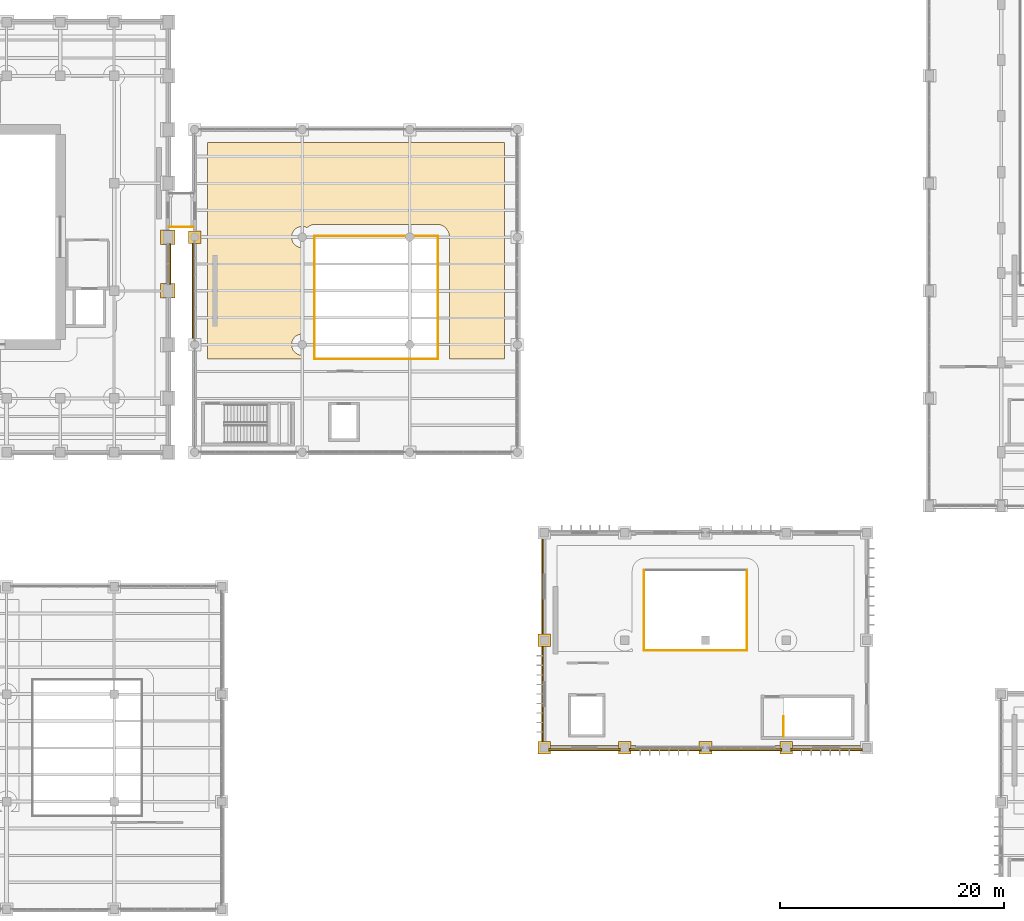
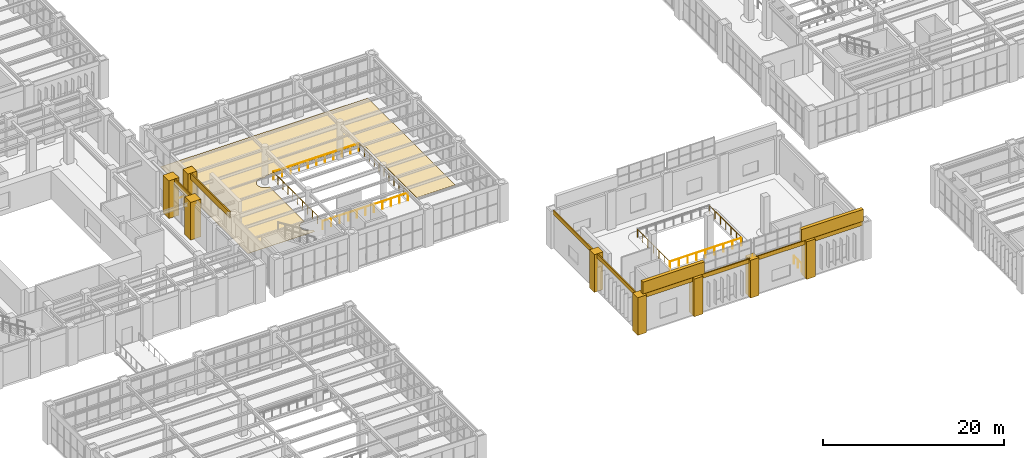
# One storey, part 158 of 174: 19 coverings, 9 railings.
"""IFC4 building model written with IfcOpenShell, lengths in metres."""

from ifc_helpers import new_model, si_unit, direction, frame, origin, origin_2d, place, context, subcontext, project, spatial, polyline, circle, outline, extrude, material, layer, layer_set, type_object, element, save


model = new_model("IFC4")

# Units and contexts
model_context = context("Model", 3, precision=1e-05, world=origin(), true_north=direction((0.0, 1.0)))
body_context = subcontext(model_context, "Body", "Model", "MODEL_VIEW")
ifc_project = project(units=[si_unit("LENGTHUNIT", "METRE"), si_unit("AREAUNIT", "SQUARE_METRE"), si_unit("VOLUMEUNIT", "CUBIC_METRE"), si_unit("PLANEANGLEUNIT", "RADIAN"), si_unit("MASSUNIT", "GRAM", prefix="KILO")], contexts=[model_context])

# Site, building, storey
site_placement = place(None, origin())
site = spatial("IfcSite", under=ifc_project, at=site_placement, CompositionType="ELEMENT")
building_placement = place(site_placement, origin())
building = spatial("IfcBuilding", under=site, at=building_placement, Name="Mavantir Sound Aquarium", CompositionType="ELEMENT")
storey_placement = place(building_placement, frame((0.0, 0.0, 5.39990234375)))
storey = spatial("IfcBuildingStorey", under=building, at=storey_placement, Name="L01", CompositionType="ELEMENT", Elevation=5.39990234375)

# Coverings
ifc_material_1 = material(Name="Honed Coral-Limestone & Glazed Terracotta Rainscreen Cladding", Category="masonry")
ifc_layer_1 = layer(ifc_material_1, 0.06005859375, Name="Honed Coral-Limestone & Glazed Terracotta Rainscreen Cladding")
ifc_layer_set_1 = layer_set([ifc_layer_1], Name="Honed Coral-Limestone & Glazed Terracotta Rainscreen Cladding")
covering_type_1 = type_object("IfcCoveringType", Name="COV-CLAD-TC", PredefinedType="CLADDING", material=ifc_layer_set_1)
covering_1_placement = place(storey_placement, frame((0.0, 0.0, 4.30810546875)))
element("IfcCovering", 1, at=covering_1_placement, inside=storey, type_object=covering_type_1, Name="L01 Postmodern coral-limestone spandrel frieze 158", PredefinedType="CLADDING", context=body_context, shape_type="SweptSolid", body=[
    extrude(outline(polyline([(33.68994140625, 55.80810546875), (33.68994140625, 59.39208984375), (33.840087890625, 59.39208984375), (33.840087890625, 55.80810546875), (33.68994140625, 55.80810546875)])), origin(), (0.0, 0.0, 1.0), 0.7919921875),
])
covering_2_placement = place(storey_placement, frame((0.0, 0.0, 4.299072265625)))
element("IfcCovering", 2, at=covering_2_placement, inside=storey, type_object=covering_type_1, Name="L01 Postmodern coral-limestone spandrel frieze 189", PredefinedType="CLADDING", context=body_context, shape_type="SweptSolid", body=[
    extrude(outline(polyline([(35.909912109375, 59.616943359375), (35.909912109375, 50.782958984375), (35.760009765625, 50.782958984375), (35.760009765625, 59.616943359375), (35.909912109375, 59.616943359375)])), origin(), (0.0, 0.0, 1.0), 0.801025390625),
])
covering_3_placement = place(storey_placement, frame((0.0, 0.0, 4.5556640625)))
element("IfcCovering", 3, at=covering_3_placement, inside=storey, type_object=covering_type_1, Name="L01 Postmodern coral-limestone spandrel frieze 279", PredefinedType="CLADDING", context=body_context, shape_type="SweptSolid", body=[
    extrude(outline(polyline([(67.110107421875, 33.217041015625), (67.110107421875, 24.383056640625), (66.9599609375, 24.383056640625), (66.9599609375, 33.217041015625), (67.110107421875, 33.217041015625)])), origin(), (0.0, 0.0, 1.0), 0.54443359375),
])
covering_4_placement = place(storey_placement, frame((0.0, 0.0, 4.5556640625)))
element("IfcCovering", 4, at=covering_4_placement, inside=storey, type_object=covering_type_1, Name="L01 Postmodern coral-limestone spandrel frieze 280", PredefinedType="CLADDING", context=body_context, shape_type="SweptSolid", body=[
    extrude(outline(polyline([(67.110107421875, 23.616943359375), (67.110107421875, 14.782958984375), (66.9599609375, 14.782958984375), (66.9599609375, 23.616943359375), (67.110107421875, 23.616943359375)])), origin(), (0.0, 0.0, 1.0), 0.54443359375),
])
covering_5_placement = place(storey_placement, frame((0.0, 0.0, 4.5556640625)))
element("IfcCovering", 5, at=covering_5_placement, inside=storey, type_object=covering_type_1, Name="L01 Postmodern coral-limestone spandrel frieze 281", PredefinedType="CLADDING", context=body_context, shape_type="SweptSolid", body=[
    extrude(outline(polyline([(67.5830078125, 14.31005859375), (74.01708984375, 14.31005859375), (74.01708984375, 14.159912109375), (67.5830078125, 14.159912109375), (67.5830078125, 14.31005859375)])), origin(), (0.0, 0.0, 1.0), 0.54443359375),
])
covering_6_placement = place(storey_placement, frame((0.0, 0.0, 4.5556640625)))
element("IfcCovering", 6, at=covering_6_placement, inside=storey, type_object=covering_type_1, Name="L01 Postmodern coral-limestone spandrel frieze 282", PredefinedType="CLADDING", context=body_context, shape_type="SweptSolid", body=[
    extrude(outline(polyline([(74.782958984375, 14.31005859375), (81.217041015625, 14.31005859375), (81.217041015625, 14.159912109375), (74.782958984375, 14.159912109375), (74.782958984375, 14.31005859375)])), origin(), (0.0, 0.0, 1.0), 0.54443359375),
])
covering_7_placement = place(storey_placement, frame((0.0, 0.0, 4.5556640625)))
element("IfcCovering", 7, at=covering_7_placement, inside=storey, type_object=covering_type_1, Name="L01 Postmodern coral-limestone spandrel frieze 283", PredefinedType="CLADDING", context=body_context, shape_type="SweptSolid", body=[
    extrude(outline(polyline([(81.98291015625, 14.31005859375), (88.4169921875, 14.31005859375), (88.4169921875, 14.159912109375), (81.98291015625, 14.159912109375), (81.98291015625, 14.31005859375)])), origin(), (0.0, 0.0, 1.0), 0.54443359375),
])
covering_8_placement = place(storey_placement, frame((0.0, 0.0, 4.5556640625)))
element("IfcCovering", 8, at=covering_8_placement, inside=storey, type_object=covering_type_1, Name="L01 Postmodern coral-limestone spandrel frieze 284", PredefinedType="CLADDING", context=body_context, shape_type="SweptSolid", body=[
    extrude(outline(polyline([(89.18310546875, 14.31005859375), (95.616943359375, 14.31005859375), (95.616943359375, 14.159912109375), (89.18310546875, 14.159912109375), (89.18310546875, 14.31005859375)])), origin(), (0.0, 0.0, 1.0), 0.54443359375),
])
covering_9_placement = place(storey_placement, origin())
element("IfcCovering", 9, at=covering_9_placement, inside=storey, type_object=covering_type_1, Name="L01 Postmodern coral-limestone pilaster casing 98", PredefinedType="CLADDING", context=body_context, shape_type="SweptSolid", body=[
    extrude(outline(polyline([(32.949951171875, 54.550048828125), (34.25, 54.550048828125), (34.25, 55.85009765625), (32.949951171875, 55.85009765625), (32.949951171875, 54.550048828125)])), origin(), (0.0, 0.0, 1.0), 5.10009765625),
])
covering_10_placement = place(storey_placement, origin())
element("IfcCovering", 10, at=covering_10_placement, inside=storey, type_object=covering_type_1, Name="L01 Postmodern coral-limestone pilaster casing 102", PredefinedType="CLADDING", context=body_context, shape_type="SweptSolid", body=[
    extrude(outline(polyline([(32.949951171875, 59.35009765625), (34.25, 59.35009765625), (34.25, 60.64990234375), (32.949951171875, 60.64990234375), (32.949951171875, 59.35009765625)])), origin(), (0.0, 0.0, 1.0), 5.10009765625),
])
covering_11_placement = place(storey_placement, origin())
element("IfcCovering", 11, at=covering_11_placement, inside=storey, type_object=covering_type_1, Name="L01 Postmodern coral-limestone pilaster casing 130", PredefinedType="CLADDING", context=body_context, shape_type="SweptSolid", body=[
    extrude(outline(polyline([(35.43994140625, 59.43994140625), (36.56005859375, 59.43994140625), (36.56005859375, 60.56005859375), (35.43994140625, 60.56005859375), (35.43994140625, 59.43994140625)])), origin(), (0.0, 0.0, 1.0), 5.10009765625),
])
covering_12_placement = place(storey_placement, origin())
element("IfcCovering", 12, at=covering_12_placement, inside=storey, type_object=covering_type_1, Name="L01 Postmodern coral-limestone pilaster casing 468", PredefinedType="CLADDING", context=body_context, shape_type="SweptSolid", body=[
    extrude(outline(polyline([(66.639892578125, 13.840087890625), (67.760009765625, 13.840087890625), (67.760009765625, 14.9599609375), (66.639892578125, 14.9599609375), (66.639892578125, 13.840087890625)])), origin(), (0.0, 0.0, 1.0), 5.10009765625),
])
covering_13_placement = place(storey_placement, origin())
element("IfcCovering", 13, at=covering_13_placement, inside=storey, type_object=covering_type_1, Name="L01 Postmodern coral-limestone pilaster casing 470", PredefinedType="CLADDING", context=body_context, shape_type="SweptSolid", body=[
    extrude(outline(polyline([(66.639892578125, 23.43994140625), (67.760009765625, 23.43994140625), (67.760009765625, 24.56005859375), (66.639892578125, 24.56005859375), (66.639892578125, 23.43994140625)])), origin(), (0.0, 0.0, 1.0), 5.10009765625),
])
covering_14_placement = place(storey_placement, origin())
element("IfcCovering", 14, at=covering_14_placement, inside=storey, type_object=covering_type_1, Name="L01 Postmodern coral-limestone pilaster casing 474", PredefinedType="CLADDING", context=body_context, shape_type="SweptSolid", body=[
    extrude(outline(polyline([(73.840087890625, 13.840087890625), (74.9599609375, 13.840087890625), (74.9599609375, 14.9599609375), (73.840087890625, 14.9599609375), (73.840087890625, 13.840087890625)])), origin(), (0.0, 0.0, 1.0), 5.10009765625),
])
covering_15_placement = place(storey_placement, origin())
element("IfcCovering", 15, at=covering_15_placement, inside=storey, type_object=covering_type_1, Name="L01 Postmodern coral-limestone pilaster casing 478", PredefinedType="CLADDING", context=body_context, shape_type="SweptSolid", body=[
    extrude(outline(polyline([(81.0400390625, 13.840087890625), (82.159912109375, 13.840087890625), (82.159912109375, 14.9599609375), (81.0400390625, 14.9599609375), (81.0400390625, 13.840087890625)])), origin(), (0.0, 0.0, 1.0), 5.10009765625),
])
covering_16_placement = place(storey_placement, origin())
element("IfcCovering", 16, at=covering_16_placement, inside=storey, type_object=covering_type_1, Name="L01 Postmodern coral-limestone pilaster casing 482", PredefinedType="CLADDING", context=body_context, shape_type="SweptSolid", body=[
    extrude(outline(polyline([(88.239990234375, 13.840087890625), (89.360107421875, 13.840087890625), (89.360107421875, 14.9599609375), (88.239990234375, 14.9599609375), (88.239990234375, 13.840087890625)])), origin(), (0.0, 0.0, 1.0), 5.10009765625),
])
covering_17_placement = place(storey_placement, frame((0.0, 0.0, 5.10009765625)))
element("IfcCovering", 17, at=covering_17_placement, inside=storey, type_object=covering_type_1, Name="V7 S stepped pediment shoulder L", PredefinedType="CLADDING", context=body_context, shape_type="SweptSolid", body=[
    extrude(outline(polyline([(67.5, 14.179931640625), (75.39990234375, 14.179931640625), (75.39990234375, 14.6201171875), (67.5, 14.6201171875), (67.5, 14.179931640625)])), origin(), (0.0, 0.0, 1.0), 1.60009765625),
])
covering_18_placement = place(storey_placement, frame((0.0, 0.0, 5.10009765625)))
element("IfcCovering", 18, at=covering_18_placement, inside=storey, type_object=covering_type_1, Name="V7 S stepped pediment shoulder R", PredefinedType="CLADDING", context=body_context, shape_type="SweptSolid", body=[
    extrude(outline(polyline([(87.800048828125, 14.179931640625), (95.699951171875, 14.179931640625), (95.699951171875, 14.6201171875), (87.800048828125, 14.6201171875), (87.800048828125, 14.179931640625)])), origin(), (0.0, 0.0, 1.0), 1.60009765625),
])
ifc_material_2 = material(Name="Marine Epoxy Recycled-Shell Terrazzo Flooring")
ifc_layer_2 = layer(ifc_material_2, 0.030029296875, Name="Marine Epoxy Recycled-Shell Terrazzo Flooring")
ifc_layer_set_2 = layer_set([ifc_layer_2], Name="Marine Epoxy Recycled-Shell Terrazzo Flooring")
covering_type_2 = type_object("IfcCoveringType", Name="COV-FLR-TZ", PredefinedType="FLOORING", material=ifc_layer_set_2)
covering_19_placement = place(storey_placement, origin())
element("IfcCovering", 19, at=covering_19_placement, inside=storey, type_object=covering_type_2, Name="L01 Pelagic Viewing Tunnel Upper Canyon Overlook terrazzo flooring", PredefinedType="FLOORING", context=body_context, shape_type="SweptSolid", body=[
    extrude(outline(polyline([(63.659912109375, 68.4599609375), (63.659912109375, 49.10009765625), (58.734619140625, 49.10009765625), (58.737548828125, 49.130615234375), (58.73876953125, 49.154052734375), (58.739990234375, 49.199951171875), (58.739990234375, 60.0), (58.73876953125, 60.0458984375), (58.737548828125, 60.0693359375), (58.7294921875, 60.153564453125), (58.72607421875, 60.1767578125), (58.708740234375, 60.26416015625), (58.703125, 60.287109375), (58.676025390625, 60.3759765625), (58.66796875, 60.398193359375), (58.636474609375, 60.474365234375), (58.62646484375, 60.49560546875), (58.583740234375, 60.57568359375), (58.57177734375, 60.595703125), (58.522216796875, 60.669677734375), (58.50830078125, 60.688720703125), (58.451904296875, 60.75732421875), (58.43603515625, 60.774658203125), (58.374755859375, 60.8359375), (58.357421875, 60.851806640625), (58.28857421875, 60.908203125), (58.26953125, 60.92236328125), (58.19580078125, 60.9716796875), (58.175537109375, 60.98388671875), (58.095703125, 61.0263671875), (58.07421875, 61.036376953125), (57.998046875, 61.068115234375), (57.97607421875, 61.075927734375), (57.88720703125, 61.10302734375), (57.8642578125, 61.10888671875), (57.77685546875, 61.1259765625), (57.75341796875, 61.12939453125), (57.66943359375, 61.1376953125), (57.64599609375, 61.138916015625), (57.60009765625, 61.139892578125), (46.800048828125, 61.139892578125), (46.754150390625, 61.138916015625), (46.730712890625, 61.1376953125), (46.646484375, 61.12939453125), (46.623291015625, 61.1259765625), (46.535888671875, 61.10888671875), (46.512939453125, 61.10302734375), (46.424072265625, 61.075927734375), (46.40185546875, 61.068115234375), (46.32568359375, 61.036376953125), (46.304443359375, 61.0263671875), (46.224365234375, 60.98388671875), (46.2041015625, 60.9716796875), (46.13037109375, 60.92236328125), (46.111328125, 60.908203125), (46.042724609375, 60.851806640625), (46.0341796875, 60.84423828125), (45.96337890625, 60.877685546875), (45.875732421875, 60.9091796875), (45.785400390625, 60.931640625), (45.693115234375, 60.9453125), (45.60009765625, 60.949951171875), (45.5068359375, 60.9453125), (45.414794921875, 60.931640625), (45.32421875, 60.9091796875), (45.236572265625, 60.877685546875), (45.152099609375, 60.837890625), (45.072265625, 60.789794921875), (44.997314453125, 60.734375), (44.92822265625, 60.671875), (44.865478515625, 60.602783203125), (44.81005859375, 60.52783203125), (44.76220703125, 60.44775390625), (44.722412109375, 60.363525390625), (44.69091796875, 60.27587890625), (44.668212890625, 60.185302734375), (44.654541015625, 60.093017578125), (44.64990234375, 60.0), (44.654541015625, 59.906982421875), (44.668212890625, 59.814697265625), (44.69091796875, 59.72412109375), (44.722412109375, 59.636474609375), (44.76220703125, 59.55224609375), (44.81005859375, 59.47216796875), (44.865478515625, 59.397216796875), (44.92822265625, 59.328125), (44.997314453125, 59.265625), (45.072265625, 59.210205078125), (45.152099609375, 59.162109375), (45.236572265625, 59.122314453125), (45.32421875, 59.0908203125), (45.414794921875, 59.068359375), (45.5068359375, 59.0546875), (45.60009765625, 59.050048828125), (45.659912109375, 59.052978515625), (45.659912109375, 51.34716796875), (45.60009765625, 51.35009765625), (45.5068359375, 51.345458984375), (45.414794921875, 51.331787109375), (45.32421875, 51.30908203125), (45.236572265625, 51.277587890625), (45.152099609375, 51.23779296875), (45.072265625, 51.18994140625), (44.997314453125, 51.134521484375), (44.92822265625, 51.07177734375), (44.865478515625, 51.002685546875), (44.81005859375, 50.927734375), (44.76220703125, 50.847900390625), (44.722412109375, 50.763427734375), (44.69091796875, 50.67578125), (44.668212890625, 50.585205078125), (44.654541015625, 50.4931640625), (44.64990234375, 50.39990234375), (44.654541015625, 50.306884765625), (44.668212890625, 50.214599609375), (44.69091796875, 50.124267578125), (44.722412109375, 50.03662109375), (44.76220703125, 49.9521484375), (44.81005859375, 49.872314453125), (44.865478515625, 49.79736328125), (44.92822265625, 49.728271484375), (44.997314453125, 49.66552734375), (45.072265625, 49.610107421875), (45.152099609375, 49.562255859375), (45.236572265625, 49.522216796875), (45.32421875, 49.490966796875), (45.414794921875, 49.46826171875), (45.5068359375, 49.45458984375), (45.60009765625, 49.449951171875), (45.659912109375, 49.452880859375), (45.659912109375, 49.199951171875), (45.6611328125, 49.154052734375), (45.662353515625, 49.130615234375), (45.665283203125, 49.10009765625), (37.139892578125, 49.10009765625), (37.139892578125, 68.4599609375), (63.659912109375, 68.4599609375)])), origin(), (0.0, 0.0, 1.0), 0.030029296875),
])

# Railings
ifc_material_3 = material(Name="Stainless Steel 316 Bridge Balustrade", Category="steel")
railing_type_1 = type_object("IfcRailingType", Name="RL-BAL-110", PredefinedType="BALUSTRADE", material=ifc_material_3)
railing_1_placement = place(storey_placement, frame((33.719970703125, 60.919921875, 0.0)))
element("IfcRailing", 20, at=railing_1_placement, inside=storey, type_object=railing_type_1, Name="L01 bridge S guardrail 4", PredefinedType="BALUSTRADE", context=body_context, shape_type="SweptSolid", body=[
    extrude(circle(Radius=0.02392578125, at=origin_2d()), frame((0.0, 0.0, 1.076171875), z_axis=(1.0, 0.0, 0.0), x_axis=(0.0, 1.0, 0.0)), (0.0, 0.0, 1.0), 2.159912109375),
    extrude(circle(Radius=0.02099609375, at=origin_2d()), origin(), (0.0, 0.0, 1.0), 1.052001953125),
    extrude(circle(Radius=0.02099609375, at=origin_2d()), frame((1.080078125, 0.0, 0.0)), (0.0, 0.0, 1.0), 1.052001953125),
    extrude(circle(Radius=0.02099609375, at=origin_2d()), frame((2.159912109375, 0.0, 0.0)), (0.0, 0.0, 1.0), 1.052001953125),
])
ifc_material_4 = material(Name="Stainless Steel 316 and Laminated Glass Guardrail", Category="steel")
railing_type_2 = type_object("IfcRailingType", Name="RL-GUARD-110", PredefinedType="GUARDRAIL", material=ifc_material_4)
railing_2_placement = place(storey_placement, frame((46.699951171875, 49.10009765625, 0.0)))
element("IfcRailing", 21, at=railing_2_placement, inside=storey, type_object=railing_type_2, Name="L01 atrium void S guardrail 87", PredefinedType="GUARDRAIL", context=body_context, shape_type="SweptSolid", body=[
    extrude(circle(Radius=0.02392578125, at=origin_2d()), frame((0.0, 0.0, 1.076171875), z_axis=(1.0, 0.0, 0.0), x_axis=(0.0, 1.0, 0.0)), (0.0, 0.0, 1.0), 10.920166015625),
    extrude(circle(Radius=0.02099609375, at=origin_2d()), origin(), (0.0, 0.0, 1.0), 1.052001953125),
    extrude(circle(Radius=0.02099609375, at=origin_2d()), frame((1.092041015625, 0.0, 0.0)), (0.0, 0.0, 1.0), 1.052001953125),
    extrude(circle(Radius=0.02099609375, at=origin_2d()), frame((2.18408203125, 0.0, 0.0)), (0.0, 0.0, 1.0), 1.052001953125),
    extrude(circle(Radius=0.02099609375, at=origin_2d()), frame((3.276123046875, 0.0, 0.0)), (0.0, 0.0, 1.0), 1.052001953125),
    extrude(circle(Radius=0.02099609375, at=origin_2d()), frame((4.3681640625, 0.0, 0.0)), (0.0, 0.0, 1.0), 1.052001953125),
    extrude(circle(Radius=0.02099609375, at=origin_2d()), frame((5.4599609375, 0.0, 0.0)), (0.0, 0.0, 1.0), 1.052001953125),
    extrude(circle(Radius=0.02099609375, at=origin_2d()), frame((6.552001953125, 0.0, 0.0)), (0.0, 0.0, 1.0), 1.052001953125),
    extrude(circle(Radius=0.02099609375, at=origin_2d()), frame((7.64404296875, 0.0, 0.0)), (0.0, 0.0, 1.0), 1.052001953125),
    extrude(circle(Radius=0.02099609375, at=origin_2d()), frame((8.736083984375, 0.0, 0.0)), (0.0, 0.0, 1.0), 1.052001953125),
    extrude(circle(Radius=0.02099609375, at=origin_2d()), frame((9.828125, 0.0, 0.0)), (0.0, 0.0, 1.0), 1.052001953125),
    extrude(circle(Radius=0.02099609375, at=origin_2d()), frame((10.920166015625, 0.0, 0.0)), (0.0, 0.0, 1.0), 1.052001953125),
])
railing_3_placement = place(storey_placement, frame((57.699951171875, 49.10009765625, 0.0)))
element("IfcRailing", 22, at=railing_3_placement, inside=storey, type_object=railing_type_2, Name="L01 atrium void E guardrail 88", PredefinedType="GUARDRAIL", context=body_context, shape_type="SweptSolid", body=[
    extrude(circle(Radius=0.02392578125, at=origin_2d()), frame((0.0, 0.0, 1.076171875), z_axis=(0.0, 1.0, 0.0), x_axis=(-1.0, 0.0, 0.0)), (0.0, 0.0, 1.0), 10.919921875),
    extrude(circle(Radius=0.02099609375, at=origin_2d()), origin(), (0.0, 0.0, 1.0), 1.052001953125),
    extrude(circle(Radius=0.02099609375, at=origin_2d()), frame((0.0, 1.092041015625, 0.0)), (0.0, 0.0, 1.0), 1.052001953125),
    extrude(circle(Radius=0.02099609375, at=origin_2d()), frame((0.0, 2.18408203125, 0.0)), (0.0, 0.0, 1.0), 1.052001953125),
    extrude(circle(Radius=0.02099609375, at=origin_2d()), frame((0.0, 3.27587890625, 0.0)), (0.0, 0.0, 1.0), 1.052001953125),
    extrude(circle(Radius=0.02099609375, at=origin_2d()), frame((0.0, 4.367919921875, 0.0)), (0.0, 0.0, 1.0), 1.052001953125),
    extrude(circle(Radius=0.02099609375, at=origin_2d()), frame((0.0, 5.4599609375, 0.0)), (0.0, 0.0, 1.0), 1.052001953125),
    extrude(circle(Radius=0.02099609375, at=origin_2d()), frame((0.0, 6.552001953125, 0.0)), (0.0, 0.0, 1.0), 1.052001953125),
    extrude(circle(Radius=0.02099609375, at=origin_2d()), frame((0.0, 7.64404296875, 0.0)), (0.0, 0.0, 1.0), 1.052001953125),
    extrude(circle(Radius=0.02099609375, at=origin_2d()), frame((0.0, 8.73583984375, 0.0)), (0.0, 0.0, 1.0), 1.052001953125),
    extrude(circle(Radius=0.02099609375, at=origin_2d()), frame((0.0, 9.827880859375, 0.0)), (0.0, 0.0, 1.0), 1.052001953125),
    extrude(circle(Radius=0.02099609375, at=origin_2d()), frame((0.0, 10.919921875, 0.0)), (0.0, 0.0, 1.0), 1.052001953125),
])
railing_4_placement = place(storey_placement, frame((57.699951171875, 60.10009765625, 0.0)))
element("IfcRailing", 23, at=railing_4_placement, inside=storey, type_object=railing_type_2, Name="L01 atrium void N guardrail 89", PredefinedType="GUARDRAIL", context=body_context, shape_type="SweptSolid", body=[
    extrude(circle(Radius=0.02392578125, at=origin_2d()), frame((0.0, 0.0, 1.076171875), z_axis=(-1.0, 0.0, 0.0), x_axis=(0.0, -1.0, 0.0)), (0.0, 0.0, 1.0), 10.919921875),
    extrude(circle(Radius=0.02099609375, at=origin_2d()), origin(), (0.0, 0.0, 1.0), 1.052001953125),
    extrude(circle(Radius=0.02099609375, at=origin_2d()), frame((-1.092041015625, 0.0, 0.0)), (0.0, 0.0, 1.0), 1.052001953125),
    extrude(circle(Radius=0.02099609375, at=origin_2d()), frame((-2.18408203125, 0.0, 0.0)), (0.0, 0.0, 1.0), 1.052001953125),
    extrude(circle(Radius=0.02099609375, at=origin_2d()), frame((-3.27587890625, 0.0, 0.0)), (0.0, 0.0, 1.0), 1.052001953125),
    extrude(circle(Radius=0.02099609375, at=origin_2d()), frame((-4.367919921875, 0.0, 0.0)), (0.0, 0.0, 1.0), 1.052001953125),
    extrude(circle(Radius=0.02099609375, at=origin_2d()), frame((-5.4599609375, 0.0, 0.0)), (0.0, 0.0, 1.0), 1.052001953125),
    extrude(circle(Radius=0.02099609375, at=origin_2d()), frame((-6.552001953125, 0.0, 0.0)), (0.0, 0.0, 1.0), 1.052001953125),
    extrude(circle(Radius=0.02099609375, at=origin_2d()), frame((-7.64404296875, 0.0, 0.0)), (0.0, 0.0, 1.0), 1.052001953125),
    extrude(circle(Radius=0.02099609375, at=origin_2d()), frame((-8.73583984375, 0.0, 0.0)), (0.0, 0.0, 1.0), 1.052001953125),
    extrude(circle(Radius=0.02099609375, at=origin_2d()), frame((-9.827880859375, 0.0, 0.0)), (0.0, 0.0, 1.0), 1.052001953125),
    extrude(circle(Radius=0.02099609375, at=origin_2d()), frame((-10.919921875, 0.0, 0.0)), (0.0, 0.0, 1.0), 1.052001953125),
])
railing_5_placement = place(storey_placement, frame((46.699951171875, 60.10009765625, 0.0)))
element("IfcRailing", 24, at=railing_5_placement, inside=storey, type_object=railing_type_2, Name="L01 atrium void W guardrail 90", PredefinedType="GUARDRAIL", context=body_context, shape_type="SweptSolid", body=[
    extrude(circle(Radius=0.02392578125, at=origin_2d()), frame((0.0, 0.0, 1.076171875), z_axis=(0.0, -1.0, 0.0), x_axis=(1.0, 0.0, 0.0)), (0.0, 0.0, 1.0), 10.920166015625),
    extrude(circle(Radius=0.02099609375, at=origin_2d()), origin(), (0.0, 0.0, 1.0), 1.052001953125),
    extrude(circle(Radius=0.02099609375, at=origin_2d()), frame((0.0, -1.092041015625, 0.0)), (0.0, 0.0, 1.0), 1.052001953125),
    extrude(circle(Radius=0.02099609375, at=origin_2d()), frame((0.0, -2.18408203125, 0.0)), (0.0, 0.0, 1.0), 1.052001953125),
    extrude(circle(Radius=0.02099609375, at=origin_2d()), frame((0.0, -3.276123046875, 0.0)), (0.0, 0.0, 1.0), 1.052001953125),
    extrude(circle(Radius=0.02099609375, at=origin_2d()), frame((0.0, -4.3681640625, 0.0)), (0.0, 0.0, 1.0), 1.052001953125),
    extrude(circle(Radius=0.02099609375, at=origin_2d()), frame((0.0, -5.4599609375, 0.0)), (0.0, 0.0, 1.0), 1.052001953125),
    extrude(circle(Radius=0.02099609375, at=origin_2d()), frame((0.0, -6.552001953125, 0.0)), (0.0, 0.0, 1.0), 1.052001953125),
    extrude(circle(Radius=0.02099609375, at=origin_2d()), frame((0.0, -7.64404296875, 0.0)), (0.0, 0.0, 1.0), 1.052001953125),
    extrude(circle(Radius=0.02099609375, at=origin_2d()), frame((0.0, -8.736083984375, 0.0)), (0.0, 0.0, 1.0), 1.052001953125),
    extrude(circle(Radius=0.02099609375, at=origin_2d()), frame((0.0, -9.828125, 0.0)), (0.0, 0.0, 1.0), 1.052001953125),
    extrude(circle(Radius=0.02099609375, at=origin_2d()), frame((0.0, -10.920166015625, 0.0)), (0.0, 0.0, 1.0), 1.052001953125),
])
railing_6_placement = place(storey_placement, frame((76.10009765625, 23.10009765625, 0.0)))
element("IfcRailing", 25, at=railing_6_placement, inside=storey, type_object=railing_type_2, Name="L01 atrium void S guardrail 95", PredefinedType="GUARDRAIL", context=body_context, shape_type="SweptSolid", body=[
    extrude(circle(Radius=0.02392578125, at=origin_2d()), frame((0.0, 0.0, 1.076171875), z_axis=(1.0, 0.0, 0.0), x_axis=(0.0, 1.0, 0.0)), (0.0, 0.0, 1.0), 9.119873046875),
    extrude(circle(Radius=0.02099609375, at=origin_2d()), origin(), (0.0, 0.0, 1.0), 1.052001953125),
    extrude(circle(Radius=0.02099609375, at=origin_2d()), frame((1.139892578125, 0.0, 0.0)), (0.0, 0.0, 1.0), 1.052001953125),
    extrude(circle(Radius=0.02099609375, at=origin_2d()), frame((2.280029296875, 0.0, 0.0)), (0.0, 0.0, 1.0), 1.052001953125),
    extrude(circle(Radius=0.02099609375, at=origin_2d()), frame((3.419921875, 0.0, 0.0)), (0.0, 0.0, 1.0), 1.052001953125),
    extrude(circle(Radius=0.02099609375, at=origin_2d()), frame((4.56005859375, 0.0, 0.0)), (0.0, 0.0, 1.0), 1.052001953125),
    extrude(circle(Radius=0.02099609375, at=origin_2d()), frame((5.699951171875, 0.0, 0.0)), (0.0, 0.0, 1.0), 1.052001953125),
    extrude(circle(Radius=0.02099609375, at=origin_2d()), frame((6.83984375, 0.0, 0.0)), (0.0, 0.0, 1.0), 1.052001953125),
    extrude(circle(Radius=0.02099609375, at=origin_2d()), frame((7.97998046875, 0.0, 0.0)), (0.0, 0.0, 1.0), 1.052001953125),
    extrude(circle(Radius=0.02099609375, at=origin_2d()), frame((9.119873046875, 0.0, 0.0)), (0.0, 0.0, 1.0), 1.052001953125),
])
railing_7_placement = place(storey_placement, frame((85.300048828125, 23.10009765625, 0.0)))
element("IfcRailing", 26, at=railing_7_placement, inside=storey, type_object=railing_type_2, Name="L01 atrium void E guardrail 96", PredefinedType="GUARDRAIL", context=body_context, shape_type="SweptSolid", body=[
    extrude(circle(Radius=0.02392578125, at=origin_2d()), frame((0.0, 0.0, 1.076171875), z_axis=(0.0, 1.0, 0.0), x_axis=(-1.0, 0.0, 0.0)), (0.0, 0.0, 1.0), 7.119873046875),
    extrude(circle(Radius=0.02099609375, at=origin_2d()), origin(), (0.0, 0.0, 1.0), 1.052001953125),
    extrude(circle(Radius=0.02099609375, at=origin_2d()), frame((0.0, 1.1865234375, 0.0)), (0.0, 0.0, 1.0), 1.052001953125),
    extrude(circle(Radius=0.02099609375, at=origin_2d()), frame((0.0, 2.373291015625, 0.0)), (0.0, 0.0, 1.0), 1.052001953125),
    extrude(circle(Radius=0.02099609375, at=origin_2d()), frame((0.0, 3.56005859375, 0.0)), (0.0, 0.0, 1.0), 1.052001953125),
    extrude(circle(Radius=0.02099609375, at=origin_2d()), frame((0.0, 4.74658203125, 0.0)), (0.0, 0.0, 1.0), 1.052001953125),
    extrude(circle(Radius=0.02099609375, at=origin_2d()), frame((0.0, 5.93310546875, 0.0)), (0.0, 0.0, 1.0), 1.052001953125),
    extrude(circle(Radius=0.02099609375, at=origin_2d()), frame((0.0, 7.119873046875, 0.0)), (0.0, 0.0, 1.0), 1.052001953125),
])
railing_8_placement = place(storey_placement, frame((76.10009765625, 30.300048828125, 0.0)))
element("IfcRailing", 27, at=railing_8_placement, inside=storey, type_object=railing_type_2, Name="L01 atrium void W guardrail 98", PredefinedType="GUARDRAIL", context=body_context, shape_type="SweptSolid", body=[
    extrude(circle(Radius=0.02392578125, at=origin_2d()), frame((0.0, 0.0, 1.076171875), z_axis=(0.0, -1.0, 0.0), x_axis=(1.0, 0.0, 0.0)), (0.0, 0.0, 1.0), 7.1201171875),
    extrude(circle(Radius=0.02099609375, at=origin_2d()), origin(), (0.0, 0.0, 1.0), 1.052001953125),
    extrude(circle(Radius=0.02099609375, at=origin_2d()), frame((0.0, -1.186767578125, 0.0)), (0.0, 0.0, 1.0), 1.052001953125),
    extrude(circle(Radius=0.02099609375, at=origin_2d()), frame((0.0, -2.373291015625, 0.0)), (0.0, 0.0, 1.0), 1.052001953125),
    extrude(circle(Radius=0.02099609375, at=origin_2d()), frame((0.0, -3.56005859375, 0.0)), (0.0, 0.0, 1.0), 1.052001953125),
    extrude(circle(Radius=0.02099609375, at=origin_2d()), frame((0.0, -4.746826171875, 0.0)), (0.0, 0.0, 1.0), 1.052001953125),
    extrude(circle(Radius=0.02099609375, at=origin_2d()), frame((0.0, -5.933349609375, 0.0)), (0.0, 0.0, 1.0), 1.052001953125),
    extrude(circle(Radius=0.02099609375, at=origin_2d()), frame((0.0, -7.1201171875, 0.0)), (0.0, 0.0, 1.0), 1.052001953125),
])
railing_9_placement = place(storey_placement, frame((88.550048828125, 15.39990234375, 0.0)))
element("IfcRailing", 28, at=railing_9_placement, inside=storey, type_object=railing_type_2, Name="L01 ST11 top well guard 1", PredefinedType="GUARDRAIL", context=body_context, shape_type="SweptSolid", body=[
    extrude(circle(Radius=0.02392578125, at=origin_2d()), frame((0.0, 0.0, 1.076171875), z_axis=(0.0, 1.0, 0.0), x_axis=(-1.0, 0.0, 0.0)), (0.0, 0.0, 1.0), 1.800048828125),
    extrude(circle(Radius=0.02099609375, at=origin_2d()), origin(), (0.0, 0.0, 1.0), 1.052001953125),
    extrude(circle(Radius=0.02099609375, at=origin_2d()), frame((0.0, 0.89990234375, 0.0)), (0.0, 0.0, 1.0), 1.052001953125),
    extrude(circle(Radius=0.02099609375, at=origin_2d()), frame((0.0, 1.800048828125, 0.0)), (0.0, 0.0, 1.0), 1.052001953125),
])

save(model, "model.ifc")
